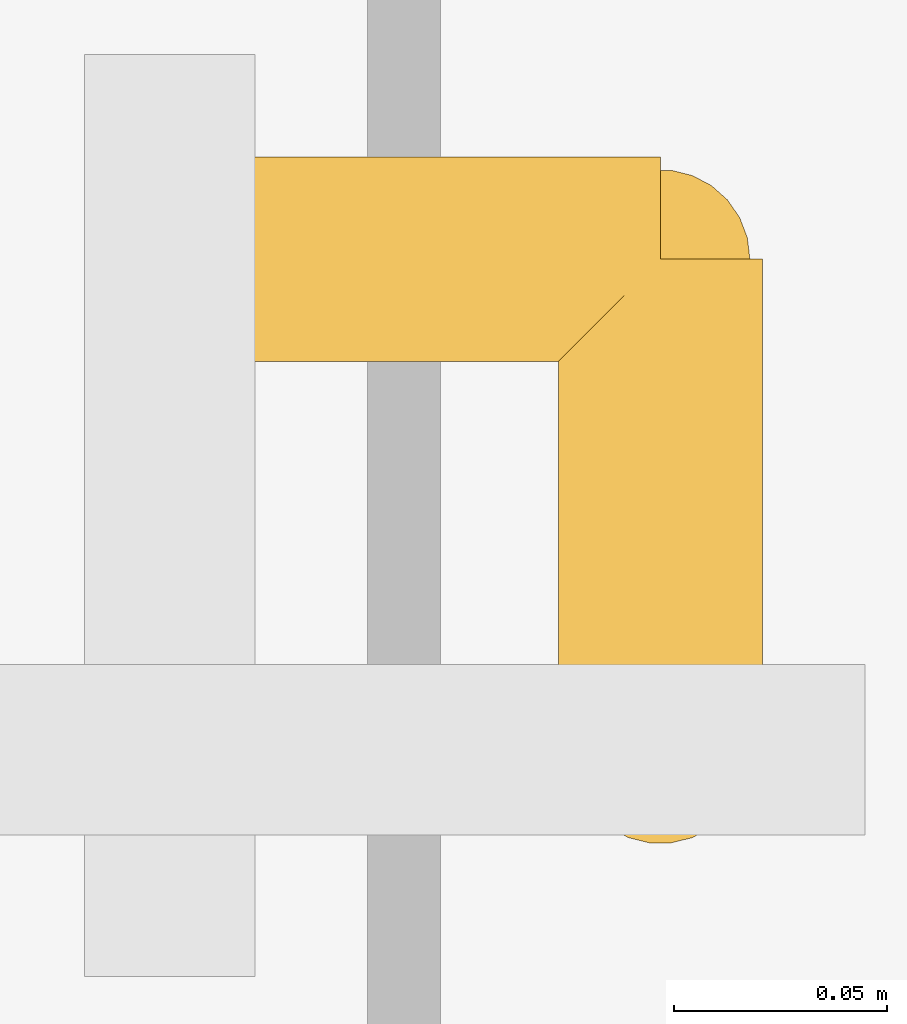
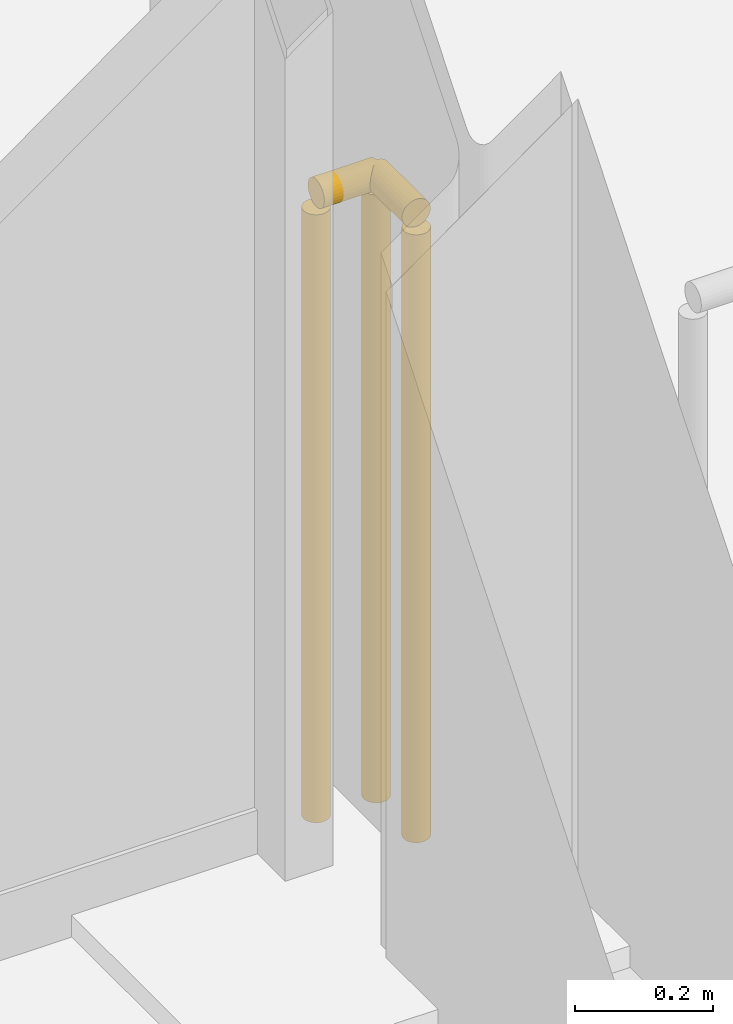
# One storey, part 141 of 143: 1 railing.
"""IFC4 building model written with IfcOpenShell, lengths in metres."""

from ifc_helpers import new_model, si_unit, direction, frame, origin, origin_2d, place, context, subcontext, project, spatial, circle, extrude, material, type_object, element, save


model = new_model("IFC4")

# Units and contexts
model_context = context("Model", 3, precision=1e-05, world=origin(), true_north=direction((0.0, 1.0)))
body_context = subcontext(model_context, "Body", "Model", "MODEL_VIEW")
ifc_project = project(units=[si_unit("LENGTHUNIT", "METRE"), si_unit("AREAUNIT", "SQUARE_METRE"), si_unit("VOLUMEUNIT", "CUBIC_METRE"), si_unit("PLANEANGLEUNIT", "RADIAN"), si_unit("MASSUNIT", "GRAM", prefix="KILO")], contexts=[model_context])

# Site, building, storey
site_placement = place(None, origin())
site = spatial("IfcSite", under=ifc_project, at=site_placement, CompositionType="ELEMENT")
building_placement = place(site_placement, origin())
building = spatial("IfcBuilding", under=site, at=building_placement, Name="Marlcrest Central Station", CompositionType="ELEMENT")
storey_placement = place(building_placement, frame((0.0, 0.0, 4.800048828125)))
storey = spatial("IfcBuildingStorey", under=building, at=storey_placement, Name="L01", CompositionType="ELEMENT", Elevation=4.800048828125)

# Railing
ifc_material = material(Name="Stainless steel and laminated glass concourse balustrade", Category="steel")
railing_type = type_object("IfcRailingType", Name="GR-02", PredefinedType="BALUSTRADE", material=ifc_material)
railing_placement = place(storey_placement, frame((81.06005859375, 131.944091796875, 0.0)))
element("IfcRailing", 1, at=railing_placement, inside=storey, type_object=railing_type, Name="hr-L01-00365", PredefinedType="BALUSTRADE", context=body_context, shape_type="SweptSolid", body=[
    extrude(circle(Radius=0.02392578125, at=origin_2d()), frame((0.0, 0.0, 1.09619140625), z_axis=(0.0, 1.0, 0.0), x_axis=(-1.0, 0.0, 0.0)), (0.0, 0.0, 1.0), 0.115966796875),
    extrude(circle(Radius=0.02392578125, at=origin_2d()), frame((0.0, 0.115966796875, 1.09619140625), z_axis=(-1.0, 0.0, 0.0), x_axis=(0.0, -1.0, 0.0)), (0.0, 0.0, 1.0), 0.10009765625),
    extrude(circle(Radius=0.02099609375, at=origin_2d()), origin(), (0.0, 0.0, 1.0), 1.072021484375),
    extrude(circle(Radius=0.02099609375, at=origin_2d()), frame((0.0, 0.115966796875, 0.0)), (0.0, 0.0, 1.0), 1.072021484375),
    extrude(circle(Radius=0.02099609375, at=origin_2d()), frame((-0.10009765625, 0.115966796875, 0.0)), (0.0, 0.0, 1.0), 1.072021484375),
])

save(model, "model.ifc")
